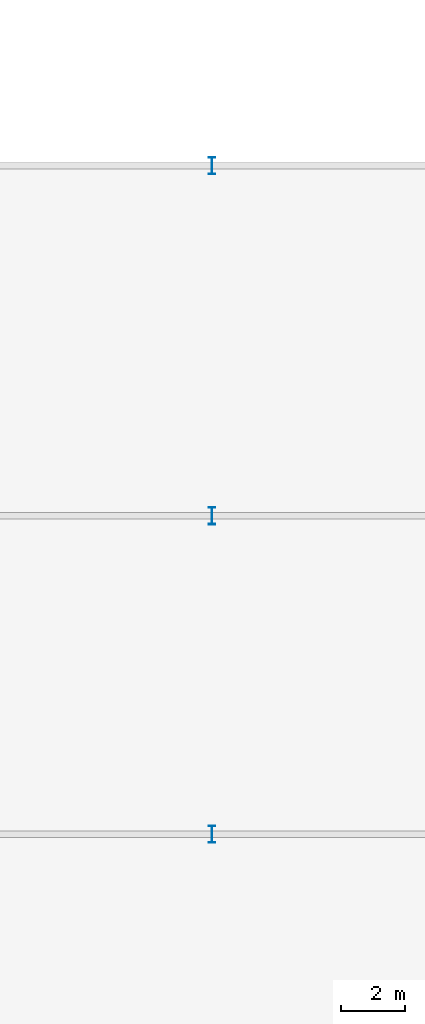
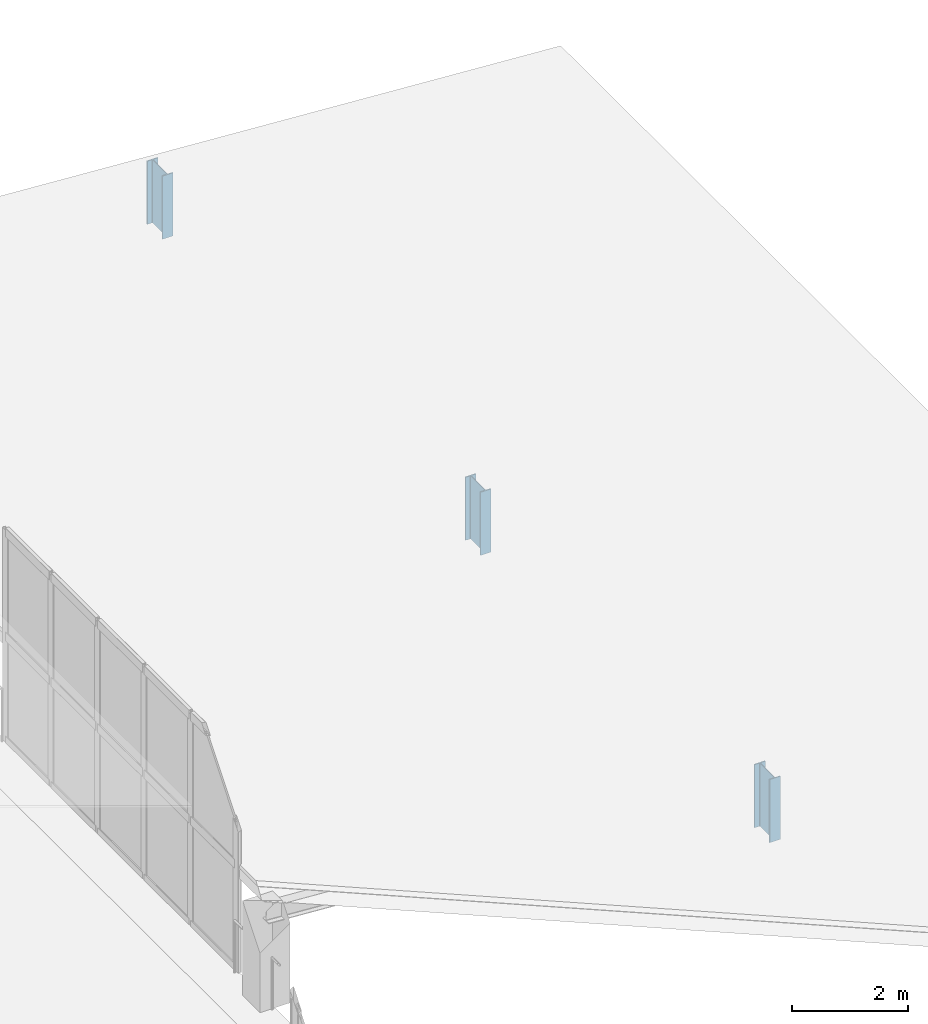
# One storey, part 14 of 136: 3 columns.
"""IFC4 building model written with IfcOpenShell, lengths in metres."""

from ifc_helpers import new_model, si_unit, direction, frame, origin, origin_2d, place, context, subcontext, project, spatial, i_section, extrude, material, material_profile, profile_set, type_object, element, save


model = new_model("IFC4")

# Units and contexts
model_context = context("Model", 3, precision=1e-05, world=origin(), true_north=direction((0.0, 1.0)))
body_context = subcontext(model_context, "Body", "Model", "MODEL_VIEW")
ifc_project = project(units=[si_unit("LENGTHUNIT", "METRE"), si_unit("AREAUNIT", "SQUARE_METRE"), si_unit("VOLUMEUNIT", "CUBIC_METRE"), si_unit("PLANEANGLEUNIT", "RADIAN"), si_unit("MASSUNIT", "GRAM", prefix="KILO")], contexts=[model_context])

# Site, building, storey
site_placement = place(None, origin())
site = spatial("IfcSite", under=ifc_project, at=site_placement, CompositionType="ELEMENT")
building_placement = place(site_placement, origin())
building = spatial("IfcBuilding", under=site, at=building_placement, Name="Brinegate Civic Arena", CompositionType="ELEMENT")
storey_placement = place(building_placement, frame((0.0, 0.0, 5.39990234375)))
storey = spatial("IfcBuildingStorey", under=building, at=storey_placement, Name="L01", CompositionType="ELEMENT", Elevation=5.39990234375)

# Columns
ifc_material = material(Name="Steel S355", Category="steel")
ifc_material_profile = material_profile(ifc_material, i_section(OverallWidth=0.2119140625, OverallDepth=0.5439453125, WebThickness=0.012939453125, FlangeThickness=0.02099609375, FilletRadius=0.01611328125, at=origin_2d()), Name="W530X123")
ifc_profile_set = profile_set([ifc_material_profile], Name="Steel S355")
column_type = type_object("IfcColumnType", Name="COL-SC02-W530", PredefinedType="COLUMN", material=ifc_profile_set)
for number, where, z_axis, x_axis, name in (
    (1, (200.0, 72.0, 0.0), (0.0, 0.0, 1.0), (1.0, 0.0, 0.0), "Dock Roof Column COL-L01-18-H"),
    (2, (200.0, 82.0, 0.0), (0.0, 0.0, 1.0), (1.0, 0.0, 0.0), "Dock Roof Column COL-L01-18-J"),
    (3, (200.0, 93.0, 0.0), (0.0, 0.0, 1.0), (1.0, 0.0, 0.0), "Dock Roof Column COL-L01-18-K"),
):
    element("IfcColumn", number, at=place(storey_placement, frame(where, z_axis=z_axis, x_axis=x_axis)), inside=storey, type_object=column_type, Name=name, PredefinedType="COLUMN", context=body_context, shape_type="SweptSolid", body=[
        extrude(i_section(OverallWidth=0.2119140625, OverallDepth=0.5439453125, WebThickness=0.012939453125, FlangeThickness=0.02099609375, FilletRadius=0.01611328125, at=origin_2d()), origin(), (0.0, 0.0, 1.0), 1.3330078125),
    ])

save(model, "model.ifc")
